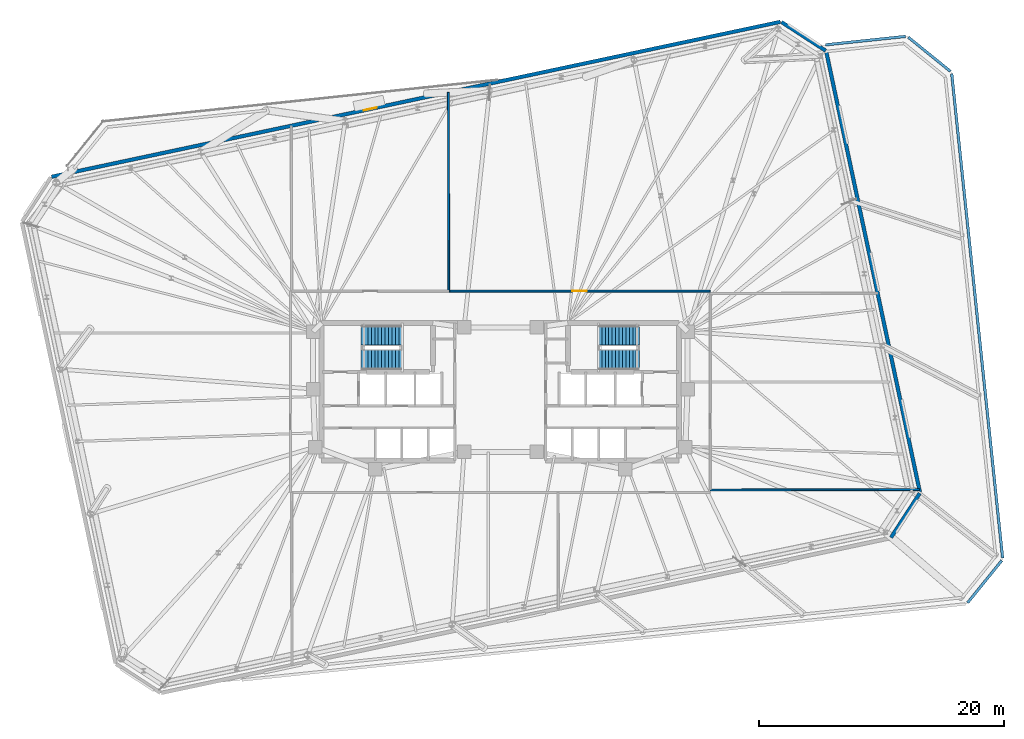
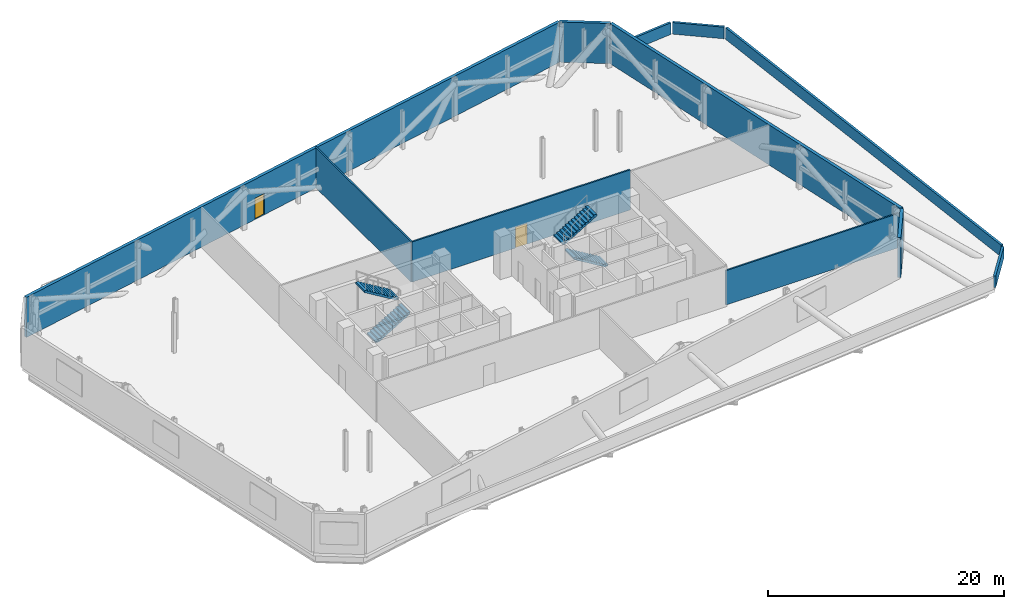
# One storey, part 16 of 19: 11 walls, 4 stair flights, 2 doors, 2 openings, 2 elements without a shape of their own.
"""IFC4 building model written with IfcOpenShell, lengths in metres."""

from ifc_helpers import new_model, si_unit, direction, frame, frame_2d, origin, place, context, subcontext, project, spatial, polyline, rectangle, outline, extrude, material, layer, layer_set, type_object, element, fill, aggregate, save


model = new_model("IFC4")

# Units and contexts
model_context = context("Model", 3, precision=1e-05, world=origin(), true_north=direction((0.0, 1.0)))
body_context = subcontext(model_context, "Body", "Model", "MODEL_VIEW")
ifc_project = project(units=[si_unit("LENGTHUNIT", "METRE"), si_unit("AREAUNIT", "SQUARE_METRE"), si_unit("VOLUMEUNIT", "CUBIC_METRE"), si_unit("PLANEANGLEUNIT", "RADIAN"), si_unit("MASSUNIT", "GRAM", prefix="KILO")], contexts=[model_context])

# Site, building, storey
site_placement = place(None, origin())
site = spatial("IfcSite", under=ifc_project, at=site_placement, CompositionType="ELEMENT")
building_placement = place(site_placement, origin())
building = spatial("IfcBuilding", under=site, at=building_placement, Name="Menara Jurai Vektor", CompositionType="ELEMENT")
storey_placement = place(building_placement, frame((0.0, 0.0, 142.89990234375)))
storey = spatial("IfcBuildingStorey", under=building, at=storey_placement, Name="L36", CompositionType="ELEMENT", Elevation=142.89990234375)

# Walls
ifc_material_1 = material(Name="Insulated Pale Aluminium Spandrel Wall", Category="aluminium")
ifc_layer_1 = layer(ifc_material_1, 0.300048828125)
ifc_layer_set_1 = layer_set([ifc_layer_1], Name="Insulated Pale Aluminium Spandrel Wall")
wall_type_1 = type_object("IfcWallType", Name="ENV-WALL-EXT300", PredefinedType="STANDARD", material=ifc_layer_set_1)
wall_1_placement = place(storey_placement, frame((31.830322265625, -11.871826171875, 0.0), z_axis=(0.0, 0.0, 1.0), x_axis=(0.544622582474, 0.838681252121, 0.0)))
element("IfcWall", 1, at=wall_1_placement, inside=storey, type_object=wall_type_1, Name="Plant Floor Enclosure Wall L36-02", PredefinedType="STANDARD", context=body_context, shape_type="SweptSolid", body=[
    extrude(rectangle(XDim=4.2939453125, YDim=0.300048828125, at=frame_2d((2.14697265625, 0.0))), origin(), (0.0, 0.0, 1.0), 4.150146484375),
])
wall_2_placement = place(storey_placement, frame((34.18408203125, -8.18896484375, 0.0), z_axis=(0.0, 0.0, 1.0), x_axis=(-0.207907831433, 0.978148421063, 0.0)))
element("IfcWall", 2, at=wall_2_placement, inside=storey, type_object=wall_type_1, Name="Plant Floor Enclosure Wall L36-03", PredefinedType="STANDARD", context=body_context, shape_type="SweptSolid", body=[
    extrude(rectangle(XDim=36.710205078125, YDim=0.300048828125, at=frame_2d((18.35498046875, 0.0))), origin(), (0.0, 0.0, 1.0), 4.150146484375),
])
wall_3_placement = place(storey_placement, frame((26.504638671875, 27.78759765625, 0.0), z_axis=(0.0, 0.0, 1.0), x_axis=(-0.838681252121, 0.544622582474, 0.0)))
element("IfcWall", 3, at=wall_3_placement, inside=storey, type_object=wall_type_1, Name="Plant Floor Enclosure Wall L36-04", PredefinedType="STANDARD", context=body_context, shape_type="SweptSolid", body=[
    extrude(rectangle(XDim=4.2939453125, YDim=0.300048828125, at=frame_2d((2.14697265625, 0.0))), origin(), (0.0, 0.0, 1.0), 4.150146484375),
])

# Wall, opening, door
wall_4_placement = place(storey_placement, frame((22.821533203125, 30.141357421875, 0.0), z_axis=(0.0, 0.0, 1.0), x_axis=(-0.978147586603, -0.207911757299, 0.0)))
wall_4 = element("IfcWall", 4, at=wall_4_placement, inside=storey, type_object=wall_type_1, Name="Plant Floor Enclosure Wall L36-05", PredefinedType="STANDARD", context=body_context, shape_type="SweptSolid", body=[
    extrude(rectangle(XDim=60.7099609375, YDim=0.300048828125, at=frame_2d((30.35498046875, 0.0))), origin(), (0.0, 0.0, 1.0), 4.150146484375),
])
opening_1_placement = place(wall_4_placement, frame((33.617919921875, 0.0, 0.0)))
opening_1 = element("IfcOpeningElement", 5, at=opening_1_placement, cuts=wall_4, Name="Opening TD-L36", PredefinedType="OPENING", context=body_context, shape_type="SweptSolid", body=[
    extrude(rectangle(XDim=1.10009765625, YDim=2.199951171875, at=frame_2d((0.550048828125, 1.10009765625))), frame((0.0, 0.16015625, 0.0), z_axis=(0.0, -1.0, 0.0), x_axis=(1.0, 0.0, 0.0)), (0.0, 0.0, 1.0), 0.320068359375),
])
ifc_material_2 = material(Name="Anodised Aluminium Glazed Terrace Door", Category="aluminium")
door_type_1 = type_object("IfcDoorType", Name="ENV-DOOR-TER110", OperationType="NOTDEFINED", PredefinedType="DOOR", material=ifc_material_2)
door_1_placement = place(opening_1_placement, frame((1.10009765625, 0.0, 0.0), z_axis=(0.0, 0.0, 1.0), x_axis=(-1.0, 0.0, 0.0)))
door_1 = element("IfcDoor", 6, at=door_1_placement, inside=storey, type_object=door_type_1, Name="Spiral Terrace Access Door L36", OperationType="SINGLE_SWING_RIGHT", OverallHeight=2.199951171875, OverallWidth=1.10009765625, PredefinedType="DOOR", context=body_context, shape_type="SweptSolid", body=[
    extrude(rectangle(XDim=1.10009765625, YDim=2.199951171875, at=frame_2d((0.550048828125, 1.10009765625))), frame((0.0, 0.02490234375, 0.0), z_axis=(0.0, -1.0, 0.0), x_axis=(1.0, 0.0, 0.0)), (0.0, 0.0, 1.0), 0.050048828125),
])
fill(opening_1, door_1)

# Walls
ifc_material_3 = material(Name="Concrete C40/50", Category="concrete")
ifc_layer_2 = layer(ifc_material_3, 0.219970703125)
ifc_layer_set_2 = layer_set([ifc_layer_2], Name="Concrete C40/50")
wall_type_2 = type_object("IfcWallType", Name="ENV-WALL-PARAPET220", PredefinedType="PARAPET", material=ifc_layer_set_2)
wall_5_placement = place(storey_placement, frame((38.075927734375, -17.184326171875, 0.0), z_axis=(0.0, 0.0, 1.0), x_axis=(0.629326785519, 0.777140783275, 0.0)))
element("IfcWall", 7, at=wall_5_placement, inside=storey, type_object=wall_type_2, Name="Roof Parapet Wall L36-SETBACK-06", PredefinedType="PARAPET", context=body_context, shape_type="SweptSolid", body=[
    extrude(rectangle(XDim=4.4248046875, YDim=0.219970703125, at=frame_2d((2.21240234375, 0.0))), origin(), (0.0, 0.0, 1.0), 1.2001953125),
])
wall_6_placement = place(storey_placement, frame((40.92431640625, -13.53125, 0.0), z_axis=(0.0, 0.0, 1.0), x_axis=(-0.104530964527, 0.994521632472, 0.0)))
element("IfcWall", 8, at=wall_6_placement, inside=storey, type_object=wall_type_2, Name="Roof Parapet Wall L36-SETBACK-07", PredefinedType="PARAPET", context=body_context, shape_type="SweptSolid", body=[
    extrude(rectangle(XDim=39.658203125, YDim=0.219970703125, at=frame_2d((19.8291015625, 0.0))), origin(), (0.0, 0.0, 1.0), 1.2001953125),
])
wall_7_placement = place(storey_placement, frame((36.672119140625, 26.10595703125, 0.0), z_axis=(0.0, 0.0, 1.0), x_axis=(-0.777162634075, 0.629299801524, 0.0)))
element("IfcWall", 9, at=wall_7_placement, inside=storey, type_object=wall_type_2, Name="Roof Parapet Wall L36-SETBACK-08", PredefinedType="PARAPET", context=body_context, shape_type="SweptSolid", body=[
    extrude(rectangle(XDim=4.425048828125, YDim=0.219970703125, at=frame_2d((2.21240234375, 0.0))), origin(), (0.0, 0.0, 1.0), 1.2001953125),
])
wall_8_placement = place(storey_placement, frame((33.018798828125, 28.9541015625, 0.0), z_axis=(0.0, 0.0, 1.0), x_axis=(-0.994525613838, -0.104493078334, 0.0)))
element("IfcWall", 10, at=wall_8_placement, inside=storey, type_object=wall_type_2, Name="Roof Parapet Wall L36-SETBACK-09", PredefinedType="PARAPET", context=body_context, shape_type="SweptSolid", body=[
    extrude(rectangle(XDim=6.56298828125, YDim=0.219970703125, at=frame_2d((3.281494140625, 0.0))), origin(), (0.0, 0.0, 1.0), 1.2001953125),
])

# Wall, opening, door
ifc_material_4 = material(Name="Gypsum Fireboard Partition", Category="gypsum")
ifc_layer_3 = layer(ifc_material_4, 0.14990234375)
ifc_layer_set_3 = layer_set([ifc_layer_3], Name="Gypsum Fireboard Partition")
wall_type_3 = type_object("IfcWallType", Name="INT-WALL-CORR-150", PredefinedType="PARTITIONING", material=ifc_layer_set_3)
wall_9_placement = place(storey_placement, frame((-4.199951171875, 8.199951171875, 0.0), z_axis=(0.0, 0.0, 1.0), x_axis=(1.0, 0.0, 0.0)))
wall_9 = element("IfcWall", 11, at=wall_9_placement, inside=storey, type_object=wall_type_3, Name="Interior Wall IW-150 L36", PredefinedType="PARTITIONING", context=body_context, shape_type="SweptSolid", body=[
    extrude(rectangle(XDim=21.300048828125, YDim=0.14990234375, at=frame_2d((10.64990234375, 0.0))), origin(), (0.0, 0.0, 1.0), 4.150146484375),
])
opening_2_placement = place(wall_9_placement, frame((10.074951171875, 0.0, 0.0)))
opening_2 = element("IfcOpeningElement", 12, at=opening_2_placement, cuts=wall_9, Name="Opening D36-07", PredefinedType="OPENING", context=body_context, shape_type="SweptSolid", body=[
    extrude(rectangle(XDim=1.14990234375, YDim=2.14990234375, at=frame_2d((0.574951171875, 1.074951171875))), frame((0.0, 0.0849609375, 0.0), z_axis=(0.0, -1.0, 0.0), x_axis=(1.0, 0.0, 0.0)), (0.0, 0.0, 1.0), 0.169921875),
])
ifc_material_5 = material(Name="Fire-Rated Steel Plant Door", Category="steel")
door_type_2 = type_object("IfcDoorType", Name="DR-PLANT-1150", OperationType="NOTDEFINED", PredefinedType="DOOR", material=ifc_material_5)
door_2_placement = place(opening_2_placement, origin())
door_2 = element("IfcDoor", 13, at=door_2_placement, inside=storey, type_object=door_type_2, Name="Interior Door D36-07", OperationType="SINGLE_SWING_RIGHT", OverallHeight=2.14990234375, OverallWidth=1.14990234375, PredefinedType="DOOR", context=body_context, shape_type="SweptSolid", body=[
    extrude(rectangle(XDim=1.14990234375, YDim=2.14990234375, at=frame_2d((0.574951171875, 1.074951171875))), frame((0.0, 0.02490234375, 0.0), z_axis=(0.0, -1.0, 0.0), x_axis=(1.0, 0.0, 0.0)), (0.0, 0.0, 1.0), 0.050048828125),
])
fill(opening_2, door_2)

# Walls
wall_10_placement = place(storey_placement, frame((-4.199951171875, 8.199951171875, 0.0), z_axis=(0.0, 0.0, 1.0), x_axis=(-0.001930061696, 0.999998137429, 0.0)))
element("IfcWall", 14, at=wall_10_placement, inside=storey, type_object=wall_type_3, Name="Interior Wall IW-150 L36", PredefinedType="PARTITIONING", context=body_context, shape_type="SweptSolid", body=[
    extrude(rectangle(XDim=16.191162109375, YDim=0.14990234375, at=frame_2d((8.095703125, 0.0))), origin(), (0.0, 0.0, 1.0), 4.150146484375),
])
ifc_layer_4 = layer(ifc_material_4, 0.14990234375)
ifc_layer_set_4 = layer_set([ifc_layer_4], Name="Gypsum Fireboard Partition")
wall_type_4 = type_object("IfcWallType", Name="INT-WALL-CORR-150-H2", PredefinedType="PARTITIONING", material=ifc_layer_set_4)
wall_11_placement = place(storey_placement, frame((17.10009765625, -8.0, 0.0), z_axis=(0.0, 0.0, 1.0), x_axis=(0.999998344031, 0.001819872318, 0.0)))
element("IfcWall", 15, at=wall_11_placement, inside=storey, type_object=wall_type_4, Name="Interior Wall IW-150 L36", PredefinedType="PARTITIONING", context=body_context, shape_type="SweptSolid", body=[
    extrude(rectangle(XDim=17.037353515625, YDim=0.14990234375, at=frame_2d((8.5185546875, 0.0))), origin(), (0.0, 0.0, 1.0), 3.550048828125),
])

# Stair, stair flights
stair_type = type_object("IfcStairType", Name="STAIR-DOGLEG-1500", PredefinedType="HALF_TURN_STAIR", material=ifc_material_3)
stair_1_placement = place(storey_placement, origin())
stair_1 = element("IfcStair", 16, at=stair_1_placement, inside=storey, type_object=stair_type, Name="Protected Exit Stair ST1 L36", PredefinedType="HALF_TURN_STAIR")
stair_flight_type = type_object("IfcStairFlightType", Name="STAIR-FLIGHT-1500", PredefinedType="STRAIGHT", material=ifc_material_3)
stair_flight_1_placement = place(storey_placement, frame((-11.35009765625, 2.64990234375, 0.0), z_axis=(0.0, 0.0, 1.0), x_axis=(1.0, 0.0, 0.0)))
stair_flight_1 = element("IfcStairFlight", 17, at=stair_flight_1_placement, type_object=stair_flight_type, Name="ST1 flight 1", NumberOfRisers=13, NumberOfTreads=12, PredefinedType="STRAIGHT", RiserHeight=0.169231, TreadLength=0.28, context=body_context, shape_type="SweptSolid", body=[
    extrude(outline(polyline([(0.0, 0.0), (0.0, 0.169189453125), (0.280029296875, 0.169189453125), (0.280029296875, 0.33837890625), (0.56005859375, 0.33837890625), (0.56005859375, 0.5078125), (0.840087890625, 0.5078125), (0.840087890625, 0.677001953125), (1.1201171875, 0.677001953125), (1.1201171875, 0.84619140625), (1.39990234375, 0.84619140625), (1.39990234375, 1.015380859375), (1.679931640625, 1.015380859375), (1.679931640625, 1.1845703125), (1.9599609375, 1.1845703125), (1.9599609375, 1.353759765625), (2.239990234375, 1.353759765625), (2.239990234375, 1.523193359375), (2.52001953125, 1.523193359375), (2.52001953125, 1.6923828125), (2.800048828125, 1.6923828125), (2.800048828125, 1.861572265625), (3.080078125, 1.861572265625), (3.080078125, 2.03076171875), (3.360107421875, 2.03076171875), (3.360107421875, 2.199951171875), (3.360107421875, 1.843994140625), (0.30908203125, 0.0), (0.0, 0.0)])), frame((0.0, 0.75, 0.0), z_axis=(0.0, -1.0, 0.0), x_axis=(1.0, 0.0, 0.0)), (0.0, 0.0, 1.0), 1.5),
])
stair_flight_2_placement = place(storey_placement, frame((-7.989990234375, 4.550048828125, 2.2001953125), z_axis=(0.0, 0.0, 1.0), x_axis=(-1.0, 0.0, 0.0)))
stair_flight_2 = element("IfcStairFlight", 18, at=stair_flight_2_placement, type_object=stair_flight_type, Name="ST1 flight 2", NumberOfRisers=13, NumberOfTreads=12, PredefinedType="STRAIGHT", RiserHeight=0.169231, TreadLength=0.28, context=body_context, shape_type="SweptSolid", body=[
    extrude(outline(polyline([(0.0, 0.0), (0.0, 0.169189453125), (0.280029296875, 0.169189453125), (0.280029296875, 0.33837890625), (0.56005859375, 0.33837890625), (0.56005859375, 0.5078125), (0.840087890625, 0.5078125), (0.840087890625, 0.677001953125), (1.1201171875, 0.677001953125), (1.1201171875, 0.84619140625), (1.39990234375, 0.84619140625), (1.39990234375, 1.015380859375), (1.679931640625, 1.015380859375), (1.679931640625, 1.1845703125), (1.9599609375, 1.1845703125), (1.9599609375, 1.353759765625), (2.239990234375, 1.353759765625), (2.239990234375, 1.523193359375), (2.52001953125, 1.523193359375), (2.52001953125, 1.6923828125), (2.800048828125, 1.6923828125), (2.800048828125, 1.861572265625), (3.080078125, 1.861572265625), (3.080078125, 2.03076171875), (3.360107421875, 2.03076171875), (3.360107421875, 2.199951171875), (3.360107421875, 1.843994140625), (0.30908203125, 0.0), (0.0, 0.0)])), frame((0.0, 0.75, 0.0), z_axis=(0.0, -1.0, 0.0), x_axis=(1.0, 0.0, 0.0)), (0.0, 0.0, 1.0), 1.5),
])
aggregate(stair_1, [stair_flight_1, stair_flight_2])

stair_2_placement = place(storey_placement, origin())
stair_2 = element("IfcStair", 19, at=stair_2_placement, inside=storey, type_object=stair_type, Name="Protected Exit Stair ST2 L36", PredefinedType="HALF_TURN_STAIR")
stair_flight_3_placement = place(storey_placement, frame((11.35009765625, 2.64990234375, 0.0), z_axis=(0.0, 0.0, 1.0), x_axis=(-1.0, 0.0, 0.0)))
stair_flight_3 = element("IfcStairFlight", 20, at=stair_flight_3_placement, type_object=stair_flight_type, Name="ST2 flight 1", NumberOfRisers=13, NumberOfTreads=12, PredefinedType="STRAIGHT", RiserHeight=0.169231, TreadLength=0.28, context=body_context, shape_type="SweptSolid", body=[
    extrude(outline(polyline([(0.0, 0.0), (0.0, 0.169189453125), (0.280029296875, 0.169189453125), (0.280029296875, 0.33837890625), (0.56005859375, 0.33837890625), (0.56005859375, 0.5078125), (0.840087890625, 0.5078125), (0.840087890625, 0.677001953125), (1.1201171875, 0.677001953125), (1.1201171875, 0.84619140625), (1.39990234375, 0.84619140625), (1.39990234375, 1.015380859375), (1.679931640625, 1.015380859375), (1.679931640625, 1.1845703125), (1.9599609375, 1.1845703125), (1.9599609375, 1.353759765625), (2.239990234375, 1.353759765625), (2.239990234375, 1.523193359375), (2.52001953125, 1.523193359375), (2.52001953125, 1.6923828125), (2.800048828125, 1.6923828125), (2.800048828125, 1.861572265625), (3.080078125, 1.861572265625), (3.080078125, 2.03076171875), (3.360107421875, 2.03076171875), (3.360107421875, 2.199951171875), (3.360107421875, 1.843994140625), (0.30908203125, 0.0), (0.0, 0.0)])), frame((0.0, 0.75, 0.0), z_axis=(0.0, -1.0, 0.0), x_axis=(1.0, 0.0, 0.0)), (0.0, 0.0, 1.0), 1.5),
])
stair_flight_4_placement = place(storey_placement, frame((7.989990234375, 4.550048828125, 2.2001953125), z_axis=(0.0, 0.0, 1.0), x_axis=(1.0, 0.0, 0.0)))
stair_flight_4 = element("IfcStairFlight", 21, at=stair_flight_4_placement, type_object=stair_flight_type, Name="ST2 flight 2", NumberOfRisers=13, NumberOfTreads=12, PredefinedType="STRAIGHT", RiserHeight=0.169231, TreadLength=0.28, context=body_context, shape_type="SweptSolid", body=[
    extrude(outline(polyline([(0.0, 0.0), (0.0, 0.169189453125), (0.280029296875, 0.169189453125), (0.280029296875, 0.33837890625), (0.56005859375, 0.33837890625), (0.56005859375, 0.5078125), (0.840087890625, 0.5078125), (0.840087890625, 0.677001953125), (1.1201171875, 0.677001953125), (1.1201171875, 0.84619140625), (1.39990234375, 0.84619140625), (1.39990234375, 1.015380859375), (1.679931640625, 1.015380859375), (1.679931640625, 1.1845703125), (1.9599609375, 1.1845703125), (1.9599609375, 1.353759765625), (2.239990234375, 1.353759765625), (2.239990234375, 1.523193359375), (2.52001953125, 1.523193359375), (2.52001953125, 1.6923828125), (2.800048828125, 1.6923828125), (2.800048828125, 1.861572265625), (3.080078125, 1.861572265625), (3.080078125, 2.03076171875), (3.360107421875, 2.03076171875), (3.360107421875, 2.199951171875), (3.360107421875, 1.843994140625), (0.30908203125, 0.0), (0.0, 0.0)])), frame((0.0, 0.75, 0.0), z_axis=(0.0, -1.0, 0.0), x_axis=(1.0, 0.0, 0.0)), (0.0, 0.0, 1.0), 1.5),
])
aggregate(stair_2, [stair_flight_3, stair_flight_4])

save(model, "model.ifc")
